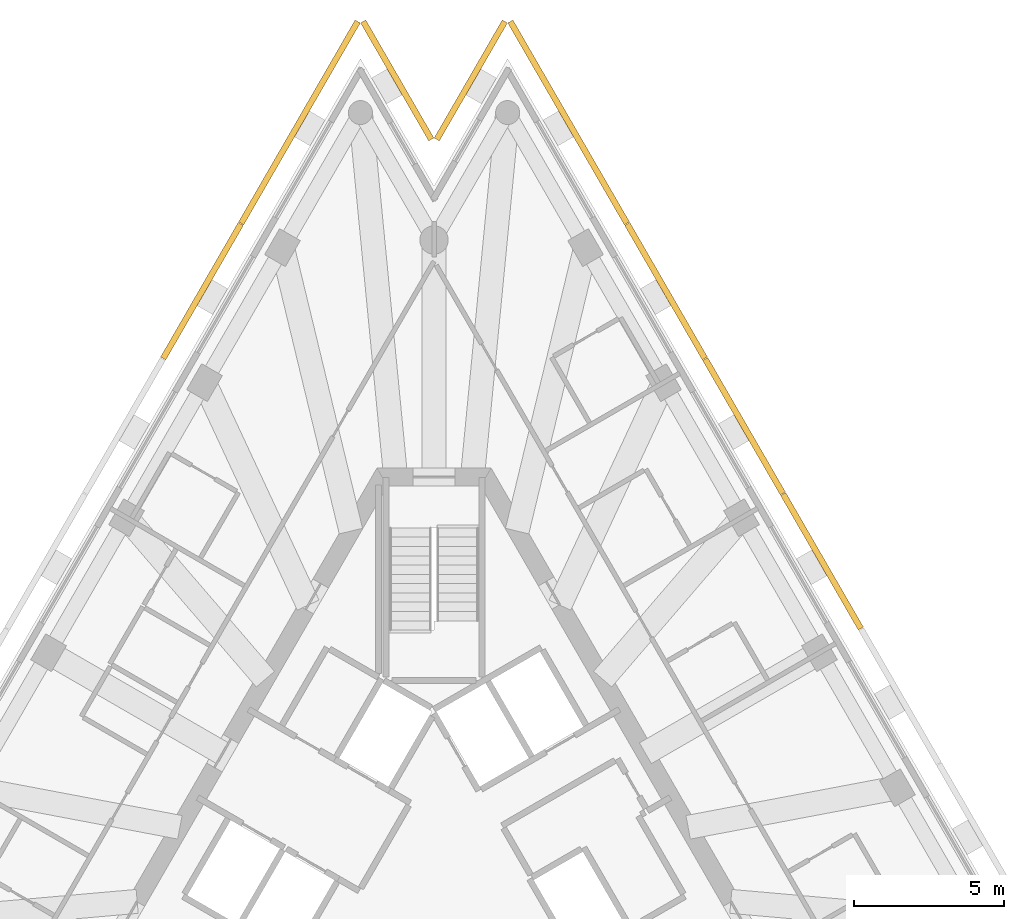
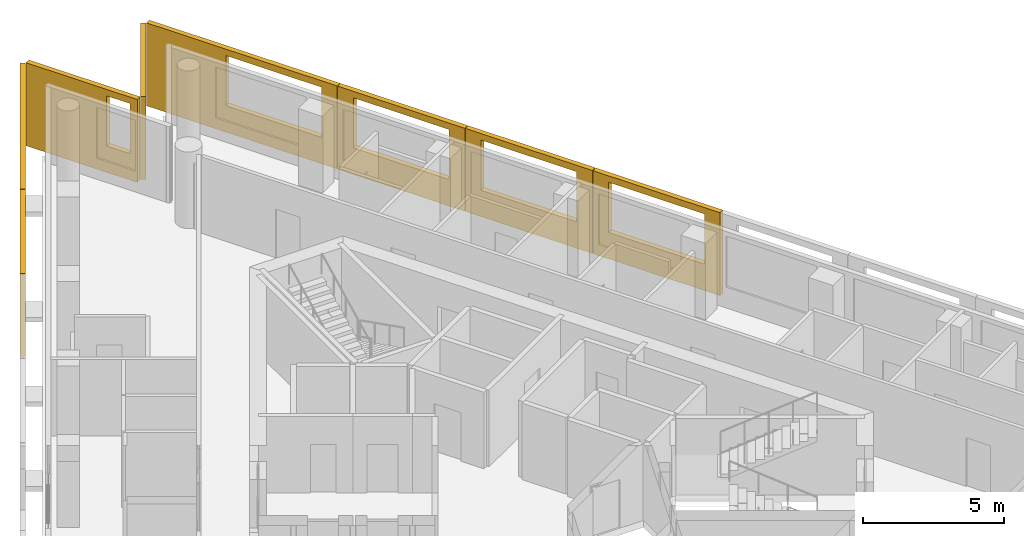
# One storey, part 10 of 10: 8 shading devices.
"""IFC4 building model written with IfcOpenShell, lengths in metres."""

from ifc_helpers import new_model, si_unit, direction, frame, origin, place, context, subcontext, project, spatial, polyline, outline, extrude, material, layer, layer_set, type_object, element, save


model = new_model("IFC4")

# Units and contexts
model_context = context("Model", 3, precision=1e-05, world=origin(), true_north=direction((0.0, 1.0)))
body_context = subcontext(model_context, "Body", "Model", "MODEL_VIEW")
ifc_project = project(units=[si_unit("LENGTHUNIT", "METRE"), si_unit("AREAUNIT", "SQUARE_METRE"), si_unit("VOLUMEUNIT", "CUBIC_METRE"), si_unit("PLANEANGLEUNIT", "RADIAN"), si_unit("MASSUNIT", "GRAM", prefix="KILO")], contexts=[model_context])

# Site, building, storey
site_placement = place(None, origin())
site = spatial("IfcSite", under=ifc_project, at=site_placement, CompositionType="ELEMENT")
building_placement = place(site_placement, origin())
building = spatial("IfcBuilding", under=site, at=building_placement, Name="Triada Interchange Tower", CompositionType="ELEMENT")
storey_placement = place(building_placement, frame((0.0, 0.0, 315.10009765625)))
storey = spatial("IfcBuildingStorey", under=building, at=storey_placement, Name="L75", CompositionType="ELEMENT", Elevation=315.10009765625)

# Shading devices
ifc_material = material(Name="Concrete C50/60 precast", Category="concrete")
ifc_layer_1 = layer(ifc_material, 0.02001953125, Name="Exposed aggregate face")
ifc_layer_2 = layer(ifc_material, 0.179931640625, Name="Precast concrete screen")
ifc_layer_set = layer_set([ifc_layer_1, ifc_layer_2], Name="Outer skin screen panel 3580")
shading_device_type = type_object("IfcShadingDeviceType", Name="Outer skin screen panel 3580", PredefinedType="SHUTTER", material=ifc_layer_set)
shading_device_1_placement = place(storey_placement, frame((-2.4619140625, 28.4609375, -0.2900390625), z_axis=(0.0, 0.0, 1.0), x_axis=(-0.500058146775, -0.865991830126, 0.0)))
element("IfcShadingDevice", 1, at=shading_device_1_placement, inside=storey, type_object=shading_device_type, Name="Outer skin screen panel L75 01", PredefinedType="SHUTTER", context=body_context, shape_type="SweptSolid", body=[
    extrude(outline(polyline([(0.0, 0.0), (7.78515625, 0.0), (7.78515625, 3.579833984375), (0.0, 3.579833984375), (0.0, 0.0)]), holes=[polyline([(3.24169921875, 1.139892578125), (3.24169921875, 3.300048828125), (7.1416015625, 3.300048828125), (7.1416015625, 1.139892578125), (3.24169921875, 1.139892578125)])]), frame((0.0, 0.0, 0.0), z_axis=(0.0, -1.0, 0.0), x_axis=(1.0, 0.0, 0.0)), (0.0, 0.0, 1.0), 0.199951171875),
])
shading_device_2_placement = place(storey_placement, frame((-6.364990234375, 21.701904296875, -0.2900390625), z_axis=(0.0, 0.0, 1.0), x_axis=(-0.49985961515, -0.866106439846, 0.0)))
element("IfcShadingDevice", 2, at=shading_device_2_placement, inside=storey, type_object=shading_device_type, Name="Outer skin screen panel L75 02", PredefinedType="SHUTTER", context=body_context, shape_type="SweptSolid", body=[
    extrude(outline(polyline([(0.0, 0.0), (5.1875, 0.0), (5.1875, 3.579833984375), (0.0, 3.579833984375), (0.0, 0.0)]), holes=[polyline([(0.643310546875, 1.139892578125), (0.643310546875, 3.300048828125), (4.543212890625, 3.300048828125), (4.543212890625, 1.139892578125), (0.643310546875, 1.139892578125)])]), frame((0.0, 0.0, 0.0), z_axis=(0.0, -1.0, 0.0), x_axis=(1.0, 0.0, 0.0)), (0.0, 0.0, 1.0), 0.199951171875),
])
shading_device_3_placement = place(storey_placement, frame((14.166015625, 8.18994140625, -0.2900390625), z_axis=(0.0, 0.0, 1.0), x_axis=(-0.500082331196, 0.865977864628, 0.0)))
element("IfcShadingDevice", 3, at=shading_device_3_placement, inside=storey, type_object=shading_device_type, Name="Outer skin screen panel L75 25", PredefinedType="SHUTTER", context=body_context, shape_type="SweptSolid", body=[
    extrude(outline(polyline([(0.0, 0.0), (5.187255859375, 0.0), (5.187255859375, 3.579833984375), (0.0, 3.579833984375), (0.0, 0.0)]), holes=[polyline([(0.643310546875, 1.139892578125), (0.643310546875, 3.300048828125), (4.543212890625, 3.300048828125), (4.543212890625, 1.139892578125), (0.643310546875, 1.139892578125)])]), frame((0.0, 0.0, 0.0), z_axis=(0.0, -1.0, 0.0), x_axis=(1.0, 0.0, 0.0)), (0.0, 0.0, 1.0), 0.199951171875),
])
shading_device_4_placement = place(storey_placement, frame((11.56201171875, 12.699951171875, -0.2900390625), z_axis=(0.0, 0.0, 1.0), x_axis=(-0.500082331196, 0.865977864628, 0.0)))
element("IfcShadingDevice", 4, at=shading_device_4_placement, inside=storey, type_object=shading_device_type, Name="Outer skin screen panel L75 26", PredefinedType="SHUTTER", context=body_context, shape_type="SweptSolid", body=[
    extrude(outline(polyline([(0.0, 0.0), (5.187255859375, 0.0), (5.187255859375, 3.579833984375), (0.0, 3.579833984375), (0.0, 0.0)]), holes=[polyline([(0.643798828125, 1.139892578125), (0.643798828125, 3.300048828125), (4.5439453125, 3.300048828125), (4.5439453125, 1.139892578125), (0.643798828125, 1.139892578125)])]), frame((0.0, 0.0, 0.0), z_axis=(0.0, -1.0, 0.0), x_axis=(1.0, 0.0, 0.0)), (0.0, 0.0, 1.0), 0.199951171875),
])
shading_device_5_placement = place(storey_placement, frame((8.9580078125, 17.208984375, -0.2900390625), z_axis=(0.0, 0.0, 1.0), x_axis=(-0.49985961515, 0.866106439846, 0.0)))
element("IfcShadingDevice", 5, at=shading_device_5_placement, inside=storey, type_object=shading_device_type, Name="Outer skin screen panel L75 27", PredefinedType="SHUTTER", context=body_context, shape_type="SweptSolid", body=[
    extrude(outline(polyline([(0.0, 0.0), (5.1875, 0.0), (5.1875, 3.579833984375), (0.0, 3.579833984375), (0.0, 0.0)]), holes=[polyline([(0.643798828125, 1.139892578125), (0.643798828125, 3.300048828125), (4.543701171875, 3.300048828125), (4.543701171875, 1.139892578125), (0.643798828125, 1.139892578125)])]), frame((0.0, 0.0, 0.0), z_axis=(0.0, -1.0, 0.0), x_axis=(1.0, 0.0, 0.0)), (0.0, 0.0, 1.0), 0.199951171875),
])
shading_device_6_placement = place(storey_placement, frame((6.35498046875, 21.718994140625, -0.2900390625), z_axis=(0.0, 0.0, 1.0), x_axis=(-0.500058146775, 0.865991830126, 0.0)))
element("IfcShadingDevice", 6, at=shading_device_6_placement, inside=storey, type_object=shading_device_type, Name="Outer skin screen panel L75 28", PredefinedType="SHUTTER", context=body_context, shape_type="SweptSolid", body=[
    extrude(outline(polyline([(0.0, 0.0), (7.78515625, 0.0), (7.78515625, 3.579833984375), (0.0, 3.579833984375), (0.0, 0.0)]), holes=[polyline([(0.643310546875, 1.139892578125), (0.643310546875, 3.300048828125), (4.54345703125, 3.300048828125), (4.54345703125, 1.139892578125), (0.643310546875, 1.139892578125)])]), frame((0.0, 0.0, 0.0), z_axis=(0.0, -1.0, 0.0), x_axis=(1.0, 0.0, 0.0)), (0.0, 0.0, 1.0), 0.199951171875),
])
shading_device_7_placement = place(storey_placement, frame((2.451904296875, 28.4609375, -0.2900390625), z_axis=(0.0, 0.0, 1.0), x_axis=(-0.500053962254, -0.865994246421, 0.0)))
element("IfcShadingDevice", 7, at=shading_device_7_placement, inside=storey, type_object=shading_device_type, Name="Outer skin screen panel L75 29", PredefinedType="SHUTTER", context=body_context, shape_type="SweptSolid", body=[
    extrude(outline(polyline([(0.0, 0.0), (4.54736328125, 0.0), (4.54736328125, 3.579833984375), (0.0, 3.579833984375), (0.0, 0.0)]), holes=[polyline([(3.175537109375, 1.139892578125), (3.175537109375, 3.300048828125), (4.247802734375, 3.300048828125), (4.247802734375, 1.139892578125), (3.175537109375, 1.139892578125)])]), frame((0.0, 0.0, 0.0), z_axis=(0.0, -1.0, 0.0), x_axis=(1.0, 0.0, 0.0)), (0.0, 0.0, 1.0), 0.199951171875),
])
shading_device_8_placement = place(storey_placement, frame((-0.177978515625, 24.52294921875, -0.2900390625), z_axis=(0.0, 0.0, 1.0), x_axis=(-0.500053962254, 0.865994246421, 0.0)))
element("IfcShadingDevice", 8, at=shading_device_8_placement, inside=storey, type_object=shading_device_type, Name="Outer skin screen panel L75 30", PredefinedType="SHUTTER", context=body_context, shape_type="SweptSolid", body=[
    extrude(outline(polyline([(0.0, 0.0), (4.54736328125, 0.0), (4.54736328125, 3.579833984375), (0.0, 3.579833984375), (0.0, 0.0)]), holes=[polyline([(0.300048828125, 1.139892578125), (0.300048828125, 3.300048828125), (1.2578125, 3.300048828125), (1.2578125, 1.139892578125), (0.300048828125, 1.139892578125)])]), frame((0.0, 0.0, 0.0), z_axis=(0.0, -1.0, 0.0), x_axis=(1.0, 0.0, 0.0)), (0.0, 0.0, 1.0), 0.199951171875),
])

save(model, "model.ifc")
